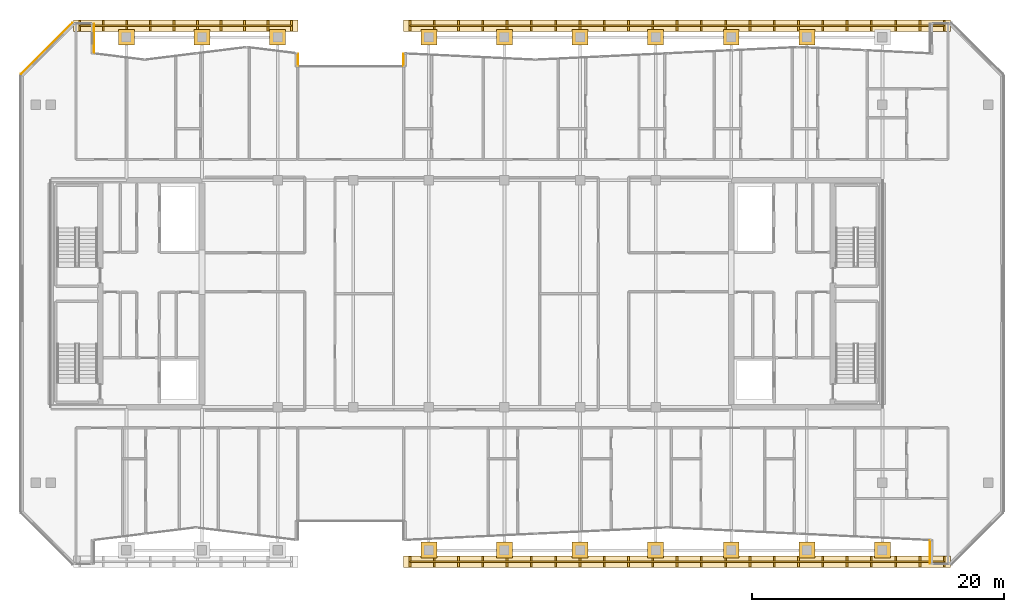
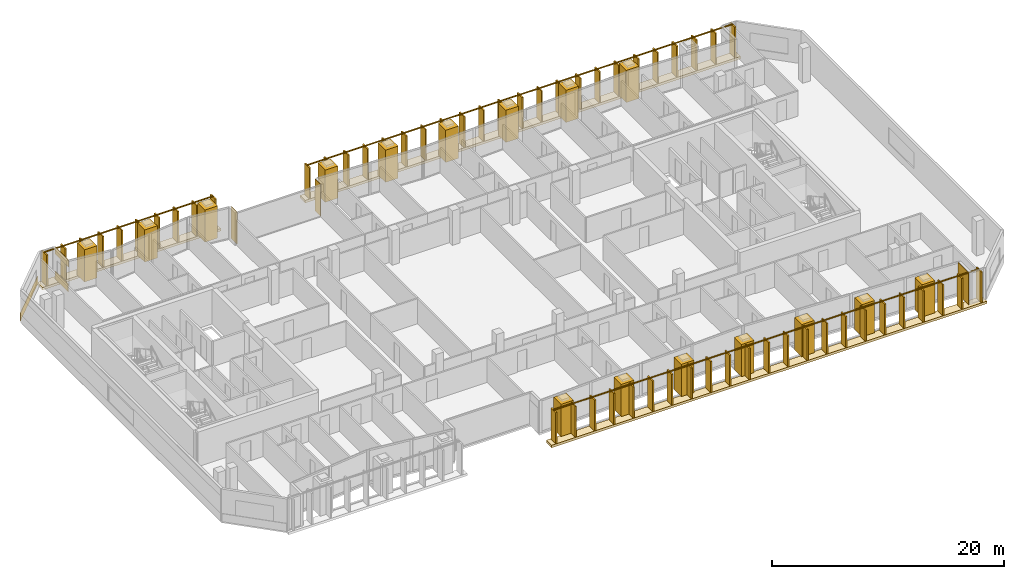
# One storey, part 30 of 32: 25 coverings, 3 railings.
"""IFC4 building model written with IfcOpenShell, lengths in metres."""

from ifc_helpers import new_model, si_unit, direction, frame, origin, origin_2d, place, context, subcontext, project, spatial, rectangle, extrude, material, layer, layer_set, type_object, element, save


model = new_model("IFC4")

# Units and contexts
model_context = context("Model", 3, precision=1e-05, world=origin(), true_north=direction((0.0, 1.0)))
body_context = subcontext(model_context, "Body", "Model", "MODEL_VIEW")
ifc_project = project(units=[si_unit("LENGTHUNIT", "METRE"), si_unit("AREAUNIT", "SQUARE_METRE"), si_unit("VOLUMEUNIT", "CUBIC_METRE"), si_unit("PLANEANGLEUNIT", "RADIAN"), si_unit("MASSUNIT", "GRAM", prefix="KILO")], contexts=[model_context])

# Site, building, storey
site_placement = place(None, origin())
site = spatial("IfcSite", under=ifc_project, at=site_placement, CompositionType="ELEMENT")
building_placement = place(site_placement, origin())
building = spatial("IfcBuilding", under=site, at=building_placement, Name="Tanjung Sevakor Pilgrim Tower", CompositionType="ELEMENT")
storey_placement = place(building_placement, frame((0.0, 0.0, 211.860107421875)))
storey = spatial("IfcBuildingStorey", under=building, at=storey_placement, Name="L59", CompositionType="ELEMENT", Elevation=211.860107421875)

# Coverings
ifc_material_1 = material(Name="Reconstructed Limestone Cladding", Category="masonry")
ifc_layer = layer(ifc_material_1, 0.044921875)
ifc_layer_set = layer_set([ifc_layer], Name="COV-CLAD-LIMESTONE")
covering_type = type_object("IfcCoveringType", Name="COV-CLAD-LIMESTONE", PredefinedType="CLADDING", material=ifc_layer_set)
covering_1_placement = place(storey_placement, frame((93.777587890625, 13.097412109375, 0.019775390625), z_axis=(0.0, 0.0, 1.0), x_axis=(0.0, -1.0, 0.0)))
element("IfcCovering", 1, at=covering_1_placement, inside=storey, type_object=covering_type, Name="L59 Warm Limestone Wall Cladding EW-L59-MAIN-14", PredefinedType="CLADDING", context=body_context, shape_type="SweptSolid", body=[
    extrude(rectangle(XDim=1.8349609375, YDim=0.044921875, at=origin_2d()), origin(), (0.0, 0.0, 1.0), 3.3701171875),
])
covering_2_placement = place(storey_placement, frame((51.9775390625, 52.147216796875, 0.019775390625), z_axis=(0.0, 0.0, 1.0), x_axis=(0.0, -1.0, 0.0)))
element("IfcCovering", 2, at=covering_2_placement, inside=storey, type_object=covering_type, Name="L59 Warm Limestone Wall Cladding EW-L59-MAIN-25", PredefinedType="CLADDING", context=body_context, shape_type="SweptSolid", body=[
    extrude(rectangle(XDim=0.974609375, YDim=0.044921875, at=origin_2d()), origin(), (0.0, 0.0, 1.0), 3.3701171875),
])
covering_3_placement = place(storey_placement, frame((43.62255859375, 52.156494140625, 0.019775390625), z_axis=(0.0, 0.0, 1.0), x_axis=(0.0, 1.0, 0.0)))
element("IfcCovering", 3, at=covering_3_placement, inside=storey, type_object=covering_type, Name="L59 Warm Limestone Wall Cladding EW-L59-MAIN-27", PredefinedType="CLADDING", context=body_context, shape_type="SweptSolid", body=[
    extrude(rectangle(XDim=0.99267578125, YDim=0.044921875, at=origin_2d()), origin(), (0.0, 0.0, 1.0), 3.3701171875),
])
covering_4_placement = place(storey_placement, frame((27.422607421875, 53.856201171875, 0.009765625), z_axis=(0.0, 0.0, 1.0), x_axis=(0.0, 1.0, 0.0)))
element("IfcCovering", 4, at=covering_4_placement, inside=storey, type_object=covering_type, Name="L59 Warm Limestone Sill Spandrel EW-L59-MAIN-32-1", PredefinedType="CLADDING", context=body_context, shape_type="SweptSolid", body=[
    extrude(rectangle(XDim=2.287353515625, YDim=0.044921875, at=origin_2d()), origin(), (0.0, 0.0, 1.0), 0.840087890625),
])
covering_5_placement = place(storey_placement, frame((27.422607421875, 53.856201171875, 2.65966796875), z_axis=(0.0, 0.0, 1.0), x_axis=(0.0, 1.0, 0.0)))
element("IfcCovering", 5, at=covering_5_placement, inside=storey, type_object=covering_type, Name="L59 Warm Limestone Cornice Spandrel EW-L59-MAIN-32", PredefinedType="CLADDING", context=body_context, shape_type="SweptSolid", body=[
    extrude(rectangle(XDim=2.327392578125, YDim=0.044921875, at=origin_2d()), origin(), (0.0, 0.0, 1.0), 0.739990234375),
])
covering_6_placement = place(storey_placement, frame((23.68408203125, 53.06591796875, 0.009765625), z_axis=(0.0, 0.0, 1.0), x_axis=(-0.707106781187, -0.707106781187, 0.0)))
element("IfcCovering", 6, at=covering_6_placement, inside=storey, type_object=covering_type, Name="L59 Warm Limestone Sill Spandrel EW-CHM-L59-MAIN-33-1", PredefinedType="CLADDING", context=body_context, shape_type="SweptSolid", body=[
    extrude(rectangle(XDim=5.7685546875, YDim=0.044921875, at=origin_2d()), origin(), (0.0, 0.0, 1.0), 0.840087890625),
])
for number, where, z_axis, x_axis, name in (
    (7, (30.0, 53.949951171875, 0.009765625), (0.0, 0.0, 1.0), (1.0, 0.0, 0.0), "L59 Colonnade Pier Limestone Casing 22"),
    (8, (36.0, 53.949951171875, 0.009765625), (0.0, 0.0, 1.0), (1.0, 0.0, 0.0), "L59 Colonnade Pier Limestone Casing 24"),
    (9, (42.0, 53.949951171875, 0.009765625), (0.0, 0.0, 1.0), (1.0, 0.0, 0.0), "L59 Colonnade Pier Limestone Casing 26"),
    (10, (54.0, 13.25, 0.009765625), (0.0, 0.0, 1.0), (1.0, 0.0, 0.0), "L59 Colonnade Pier Limestone Casing 27"),
    (11, (54.0, 53.949951171875, 0.009765625), (0.0, 0.0, 1.0), (1.0, 0.0, 0.0), "L59 Colonnade Pier Limestone Casing 28"),
    (12, (60.0, 13.25, 0.009765625), (0.0, 0.0, 1.0), (1.0, 0.0, 0.0), "L59 Colonnade Pier Limestone Casing 29"),
    (13, (60.0, 53.949951171875, 0.009765625), (0.0, 0.0, 1.0), (1.0, 0.0, 0.0), "L59 Colonnade Pier Limestone Casing 30"),
    (14, (66.0, 13.25, 0.009765625), (0.0, 0.0, 1.0), (1.0, 0.0, 0.0), "L59 Colonnade Pier Limestone Casing 31"),
    (15, (66.0, 53.949951171875, 0.009765625), (0.0, 0.0, 1.0), (1.0, 0.0, 0.0), "L59 Colonnade Pier Limestone Casing 32"),
    (16, (72.0, 13.25, 0.009765625), (0.0, 0.0, 1.0), (1.0, 0.0, 0.0), "L59 Colonnade Pier Limestone Casing 33"),
    (17, (72.0, 53.949951171875, 0.009765625), (0.0, 0.0, 1.0), (1.0, 0.0, 0.0), "L59 Colonnade Pier Limestone Casing 34"),
    (18, (78.0, 13.25, 0.009765625), (0.0, 0.0, 1.0), (1.0, 0.0, 0.0), "L59 Colonnade Pier Limestone Casing 35"),
    (19, (78.0, 53.949951171875, 0.009765625), (0.0, 0.0, 1.0), (1.0, 0.0, 0.0), "L59 Colonnade Pier Limestone Casing 36"),
    (20, (84.0, 13.25, 0.009765625), (0.0, 0.0, 1.0), (1.0, 0.0, 0.0), "L59 Colonnade Pier Limestone Casing 37"),
    (21, (84.0, 53.949951171875, 0.009765625), (0.0, 0.0, 1.0), (1.0, 0.0, 0.0), "L59 Colonnade Pier Limestone Casing 38"),
    (22, (90.0, 13.25, 0.009765625), (0.0, 0.0, 1.0), (1.0, 0.0, 0.0), "L59 Colonnade Pier Limestone Casing 39"),
):
    element("IfcCovering", number, at=place(storey_placement, frame(where, z_axis=z_axis, x_axis=x_axis)), inside=storey, type_object=covering_type, Name=name, PredefinedType="CLADDING", context=body_context, shape_type="SweptSolid", body=[
        extrude(rectangle(XDim=1.260009765625, YDim=1.260009765625, at=origin_2d()), origin(), (0.0, 0.0, 1.0), 3.389892578125),
    ])
covering_7_placement = place(storey_placement, frame((34.699951171875, 54.8701171875, -0.25), z_axis=(0.0, 0.0, 1.0), x_axis=(1.0, 0.0, 0.0)))
element("IfcCovering", 23, at=covering_7_placement, inside=storey, type_object=covering_type, Name="L59 S-Curve Outer Fin Tie Sill NW", PredefinedType="CLADDING", context=body_context, shape_type="SweptSolid", body=[
    extrude(rectangle(XDim=17.800048828125, YDim=0.89990234375, at=origin_2d()), origin(), (0.0, 0.0, 1.0), 0.260009765625),
])
for number, where, z_axis, x_axis, name in (
    (24, (73.699951171875, 12.330078125, -0.25), (0.0, 0.0, 1.0), (1.0, 0.0, 0.0), "L59 S-Curve Outer Fin Tie Sill SE"),
    (25, (73.699951171875, 54.8701171875, -0.25), (0.0, 0.0, 1.0), (1.0, 0.0, 0.0), "L59 S-Curve Outer Fin Tie Sill NE"),
):
    element("IfcCovering", number, at=place(storey_placement, frame(where, z_axis=z_axis, x_axis=x_axis)), inside=storey, type_object=covering_type, Name=name, PredefinedType="CLADDING", context=body_context, shape_type="SweptSolid", body=[
        extrude(rectangle(XDim=43.39990234375, YDim=0.89990234375, at=origin_2d()), origin(), (0.0, 0.0, 1.0), 0.260009765625),
    ])

# Railings
ifc_material_2 = material(Name="Anodised Bronze Aluminium 6063-T6", Category="aluminium")
railing_type = type_object("IfcRailingType", Name="RL-FIN-SCREEN", PredefinedType="BALUSTRADE", material=ifc_material_2)
railing_1_placement = place(storey_placement, frame((26.300048828125, 54.8701171875, 0.0)))
element("IfcRailing", 26, at=railing_1_placement, inside=storey, type_object=railing_type, Name="L59 Vertical Bronze-Gold Solar Fin Screen FN-SCGAP-L59-NW-1", PredefinedType="BALUSTRADE", context=body_context, shape_type="SweptSolid", body=[
    extrude(rectangle(XDim=0.105, YDim=0.105), frame((0.0, 0.0, 3.317626953125), z_axis=(1.0, 0.0, 0.0), x_axis=(0.0, 1.0, 0.0)), (0.0, 0.0, 1.0), 16.800048828125),
    extrude(rectangle(XDim=0.14, YDim=0.85), origin(), (0.0, 0.0, 1.0), 3.26513671875),
    extrude(rectangle(XDim=0.14, YDim=0.85), frame((1.86669921875, 0.0, 0.0)), (0.0, 0.0, 1.0), 3.26513671875),
    extrude(rectangle(XDim=0.14, YDim=0.85), frame((3.7333984375, 0.0, 0.0)), (0.0, 0.0, 1.0), 3.26513671875),
    extrude(rectangle(XDim=0.14, YDim=0.85), frame((5.60009765625, 0.0, 0.0)), (0.0, 0.0, 1.0), 3.26513671875),
    extrude(rectangle(XDim=0.14, YDim=0.85), frame((7.466796875, 0.0, 0.0)), (0.0, 0.0, 1.0), 3.26513671875),
    extrude(rectangle(XDim=0.14, YDim=0.85), frame((9.333251953125, 0.0, 0.0)), (0.0, 0.0, 1.0), 3.26513671875),
    extrude(rectangle(XDim=0.14, YDim=0.85), frame((11.199951171875, 0.0, 0.0)), (0.0, 0.0, 1.0), 3.26513671875),
    extrude(rectangle(XDim=0.14, YDim=0.85), frame((13.066650390625, 0.0, 0.0)), (0.0, 0.0, 1.0), 3.26513671875),
    extrude(rectangle(XDim=0.14, YDim=0.85), frame((14.933349609375, 0.0, 0.0)), (0.0, 0.0, 1.0), 3.26513671875),
    extrude(rectangle(XDim=0.14, YDim=0.85), frame((16.800048828125, 0.0, 0.0)), (0.0, 0.0, 1.0), 3.26513671875),
])
railing_2_placement = place(storey_placement, frame((52.5, 12.330078125, 0.0)))
element("IfcRailing", 27, at=railing_2_placement, inside=storey, type_object=railing_type, Name="L59 Vertical Bronze-Gold Solar Fin Screen FN-SCGAP-L59-SE-1", PredefinedType="BALUSTRADE", context=body_context, shape_type="SweptSolid", body=[
    extrude(rectangle(XDim=0.105, YDim=0.105), frame((0.0, 0.0, 3.317626953125), z_axis=(1.0, 0.0, 0.0), x_axis=(0.0, 1.0, 0.0)), (0.0, 0.0, 1.0), 42.39990234375),
    extrude(rectangle(XDim=0.14, YDim=0.85), origin(), (0.0, 0.0, 1.0), 3.26513671875),
    extrude(rectangle(XDim=0.14, YDim=0.85), frame((1.92724609375, 0.0, 0.0)), (0.0, 0.0, 1.0), 3.26513671875),
    extrude(rectangle(XDim=0.14, YDim=0.85), frame((3.8544921875, 0.0, 0.0)), (0.0, 0.0, 1.0), 3.26513671875),
    extrude(rectangle(XDim=0.14, YDim=0.85), frame((5.78173828125, 0.0, 0.0)), (0.0, 0.0, 1.0), 3.26513671875),
    extrude(rectangle(XDim=0.14, YDim=0.85), frame((7.708984375, 0.0, 0.0)), (0.0, 0.0, 1.0), 3.26513671875),
    extrude(rectangle(XDim=0.14, YDim=0.85), frame((9.63623046875, 0.0, 0.0)), (0.0, 0.0, 1.0), 3.26513671875),
    extrude(rectangle(XDim=0.14, YDim=0.85), frame((11.563720703125, 0.0, 0.0)), (0.0, 0.0, 1.0), 3.26513671875),
    extrude(rectangle(XDim=0.14, YDim=0.85), frame((13.490966796875, 0.0, 0.0)), (0.0, 0.0, 1.0), 3.26513671875),
    extrude(rectangle(XDim=0.14, YDim=0.85), frame((15.418212890625, 0.0, 0.0)), (0.0, 0.0, 1.0), 3.26513671875),
    extrude(rectangle(XDim=0.14, YDim=0.85), frame((17.345458984375, 0.0, 0.0)), (0.0, 0.0, 1.0), 3.26513671875),
    extrude(rectangle(XDim=0.14, YDim=0.85), frame((19.272705078125, 0.0, 0.0)), (0.0, 0.0, 1.0), 3.26513671875),
    extrude(rectangle(XDim=0.14, YDim=0.85), frame((21.199951171875, 0.0, 0.0)), (0.0, 0.0, 1.0), 3.26513671875),
    extrude(rectangle(XDim=0.14, YDim=0.85), frame((23.127197265625, 0.0, 0.0)), (0.0, 0.0, 1.0), 3.26513671875),
    extrude(rectangle(XDim=0.14, YDim=0.85), frame((25.054443359375, 0.0, 0.0)), (0.0, 0.0, 1.0), 3.26513671875),
    extrude(rectangle(XDim=0.14, YDim=0.85), frame((26.981689453125, 0.0, 0.0)), (0.0, 0.0, 1.0), 3.26513671875),
    extrude(rectangle(XDim=0.14, YDim=0.85), frame((28.908935546875, 0.0, 0.0)), (0.0, 0.0, 1.0), 3.26513671875),
    extrude(rectangle(XDim=0.14, YDim=0.85), frame((30.836181640625, 0.0, 0.0)), (0.0, 0.0, 1.0), 3.26513671875),
    extrude(rectangle(XDim=0.14, YDim=0.85), frame((32.763671875, 0.0, 0.0)), (0.0, 0.0, 1.0), 3.26513671875),
    extrude(rectangle(XDim=0.14, YDim=0.85), frame((34.69091796875, 0.0, 0.0)), (0.0, 0.0, 1.0), 3.26513671875),
    extrude(rectangle(XDim=0.14, YDim=0.85), frame((36.6181640625, 0.0, 0.0)), (0.0, 0.0, 1.0), 3.26513671875),
    extrude(rectangle(XDim=0.14, YDim=0.85), frame((38.54541015625, 0.0, 0.0)), (0.0, 0.0, 1.0), 3.26513671875),
    extrude(rectangle(XDim=0.14, YDim=0.85), frame((40.47265625, 0.0, 0.0)), (0.0, 0.0, 1.0), 3.26513671875),
    extrude(rectangle(XDim=0.14, YDim=0.85), frame((42.39990234375, 0.0, 0.0)), (0.0, 0.0, 1.0), 3.26513671875),
])
railing_3_placement = place(storey_placement, frame((52.5, 54.8701171875, 0.0)))
element("IfcRailing", 28, at=railing_3_placement, inside=storey, type_object=railing_type, Name="L59 Vertical Bronze-Gold Solar Fin Screen FN-SCGAP-L59-NE-1", PredefinedType="BALUSTRADE", context=body_context, shape_type="SweptSolid", body=[
    extrude(rectangle(XDim=0.105, YDim=0.105), frame((0.0, 0.0, 3.317626953125), z_axis=(1.0, 0.0, 0.0), x_axis=(0.0, 1.0, 0.0)), (0.0, 0.0, 1.0), 42.39990234375),
    extrude(rectangle(XDim=0.14, YDim=0.85), origin(), (0.0, 0.0, 1.0), 3.26513671875),
    extrude(rectangle(XDim=0.14, YDim=0.85), frame((1.92724609375, 0.0, 0.0)), (0.0, 0.0, 1.0), 3.26513671875),
    extrude(rectangle(XDim=0.14, YDim=0.85), frame((3.8544921875, 0.0, 0.0)), (0.0, 0.0, 1.0), 3.26513671875),
    extrude(rectangle(XDim=0.14, YDim=0.85), frame((5.78173828125, 0.0, 0.0)), (0.0, 0.0, 1.0), 3.26513671875),
    extrude(rectangle(XDim=0.14, YDim=0.85), frame((7.708984375, 0.0, 0.0)), (0.0, 0.0, 1.0), 3.26513671875),
    extrude(rectangle(XDim=0.14, YDim=0.85), frame((9.63623046875, 0.0, 0.0)), (0.0, 0.0, 1.0), 3.26513671875),
    extrude(rectangle(XDim=0.14, YDim=0.85), frame((11.563720703125, 0.0, 0.0)), (0.0, 0.0, 1.0), 3.26513671875),
    extrude(rectangle(XDim=0.14, YDim=0.85), frame((13.490966796875, 0.0, 0.0)), (0.0, 0.0, 1.0), 3.26513671875),
    extrude(rectangle(XDim=0.14, YDim=0.85), frame((15.418212890625, 0.0, 0.0)), (0.0, 0.0, 1.0), 3.26513671875),
    extrude(rectangle(XDim=0.14, YDim=0.85), frame((17.345458984375, 0.0, 0.0)), (0.0, 0.0, 1.0), 3.26513671875),
    extrude(rectangle(XDim=0.14, YDim=0.85), frame((19.272705078125, 0.0, 0.0)), (0.0, 0.0, 1.0), 3.26513671875),
    extrude(rectangle(XDim=0.14, YDim=0.85), frame((21.199951171875, 0.0, 0.0)), (0.0, 0.0, 1.0), 3.26513671875),
    extrude(rectangle(XDim=0.14, YDim=0.85), frame((23.127197265625, 0.0, 0.0)), (0.0, 0.0, 1.0), 3.26513671875),
    extrude(rectangle(XDim=0.14, YDim=0.85), frame((25.054443359375, 0.0, 0.0)), (0.0, 0.0, 1.0), 3.26513671875),
    extrude(rectangle(XDim=0.14, YDim=0.85), frame((26.981689453125, 0.0, 0.0)), (0.0, 0.0, 1.0), 3.26513671875),
    extrude(rectangle(XDim=0.14, YDim=0.85), frame((28.908935546875, 0.0, 0.0)), (0.0, 0.0, 1.0), 3.26513671875),
    extrude(rectangle(XDim=0.14, YDim=0.85), frame((30.836181640625, 0.0, 0.0)), (0.0, 0.0, 1.0), 3.26513671875),
    extrude(rectangle(XDim=0.14, YDim=0.85), frame((32.763671875, 0.0, 0.0)), (0.0, 0.0, 1.0), 3.26513671875),
    extrude(rectangle(XDim=0.14, YDim=0.85), frame((34.69091796875, 0.0, 0.0)), (0.0, 0.0, 1.0), 3.26513671875),
    extrude(rectangle(XDim=0.14, YDim=0.85), frame((36.6181640625, 0.0, 0.0)), (0.0, 0.0, 1.0), 3.26513671875),
    extrude(rectangle(XDim=0.14, YDim=0.85), frame((38.54541015625, 0.0, 0.0)), (0.0, 0.0, 1.0), 3.26513671875),
    extrude(rectangle(XDim=0.14, YDim=0.85), frame((40.47265625, 0.0, 0.0)), (0.0, 0.0, 1.0), 3.26513671875),
    extrude(rectangle(XDim=0.14, YDim=0.85), frame((42.39990234375, 0.0, 0.0)), (0.0, 0.0, 1.0), 3.26513671875),
])

save(model, "model.ifc")
